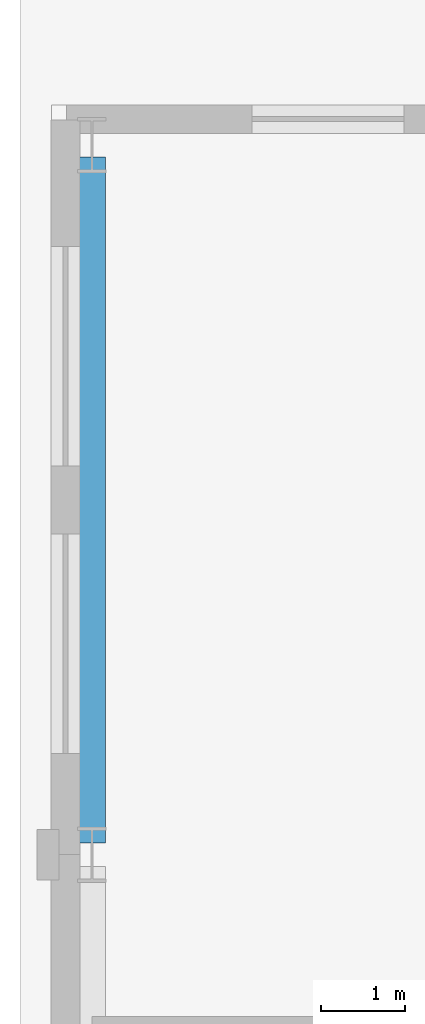
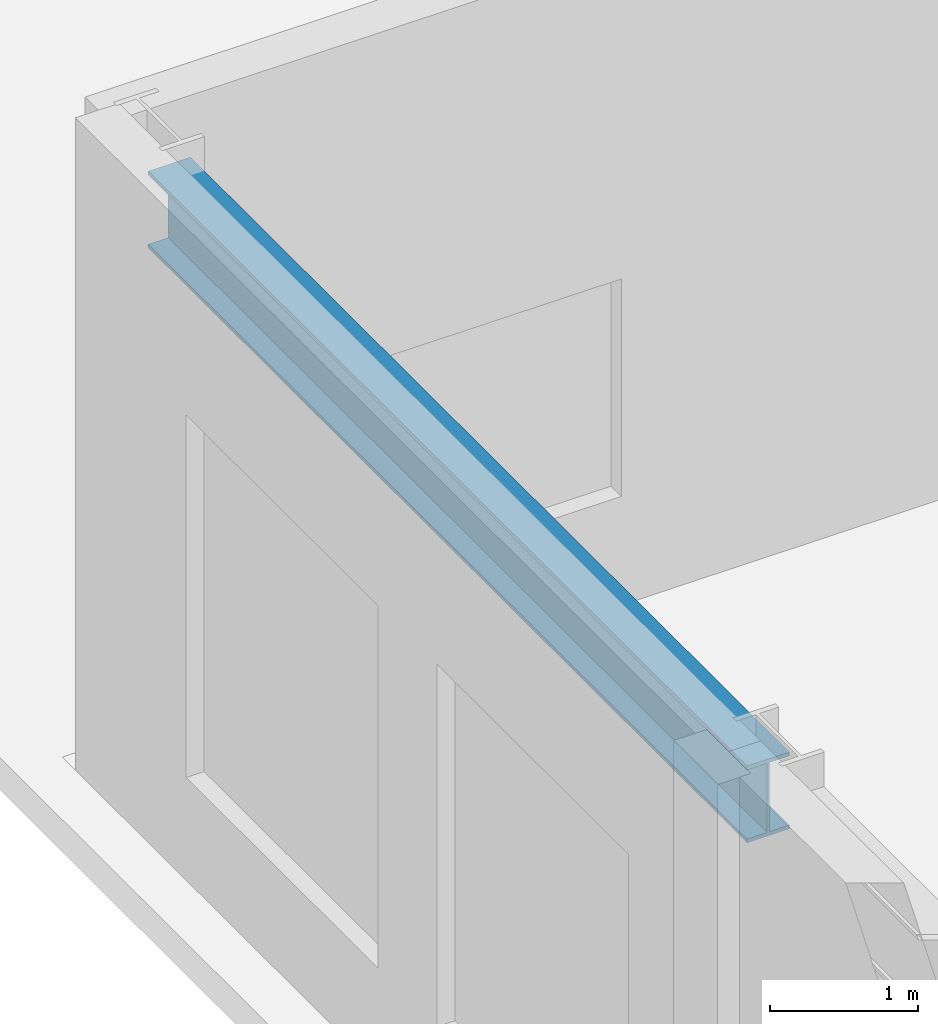
# One storey, part 32 of 94: 1 beam.
"""IFC4 building model written with IfcOpenShell, lengths in metres."""

from ifc_helpers import new_model, si_unit, direction, frame, origin, origin_2d, place, context, subcontext, project, spatial, i_section, extrude, material, material_profile, profile_set, type_object, element, save


model = new_model("IFC4")

# Units and contexts
model_context = context("Model", 3, precision=1e-05, world=origin(), true_north=direction((0.0, 1.0)))
body_context = subcontext(model_context, "Body", "Model", "MODEL_VIEW")
ifc_project = project(units=[si_unit("LENGTHUNIT", "METRE"), si_unit("AREAUNIT", "SQUARE_METRE"), si_unit("VOLUMEUNIT", "CUBIC_METRE"), si_unit("PLANEANGLEUNIT", "RADIAN"), si_unit("MASSUNIT", "GRAM", prefix="KILO")], contexts=[model_context])

# Site, building, storey
site_placement = place(None, origin())
site = spatial("IfcSite", under=ifc_project, at=site_placement, CompositionType="ELEMENT")
building_placement = place(site_placement, origin())
building = spatial("IfcBuilding", under=site, at=building_placement, Name="Sollismere Congress Hotel", CompositionType="ELEMENT")
storey_placement = place(building_placement, origin())
storey = spatial("IfcBuildingStorey", under=building, at=storey_placement, Name="L00", CompositionType="ELEMENT", Elevation=0.0)

# Beam
ifc_material = material(Name="Steel ASTM A992 Grade 50", Category="steel")
ifc_material_profile = material_profile(ifc_material, i_section(OverallWidth=0.330078125, OverallDepth=0.635009765625, WebThickness=0.017822265625, FlangeThickness=0.031005859375, at=origin_2d()), Name="W24X162")
ifc_profile_set = profile_set([ifc_material_profile], Name="Steel ASTM A992 Grade 50")
beam_type = type_object("IfcBeamType", Name="BM-SP24E", PredefinedType="SPANDREL", material=ifc_profile_set)
beam_placement = place(storey_placement, frame((0.0, 58.5400390625, 4.797607421875), z_axis=(0.0, 1.0, 0.0), x_axis=(-1.0, 0.0, 0.0)))
element("IfcBeam", 1, at=beam_placement, inside=storey, type_object=beam_type, Name="Beam BM-L00-1227", PredefinedType="SPANDREL", context=body_context, shape_type="SweptSolid", body=[
    extrude(i_section(OverallWidth=0.330078125, OverallDepth=0.635009765625, WebThickness=0.017822265625, FlangeThickness=0.031005859375, at=origin_2d()), origin(), (0.0, 0.0, 1.0), 8.119873046875),
])

save(model, "model.ifc")
